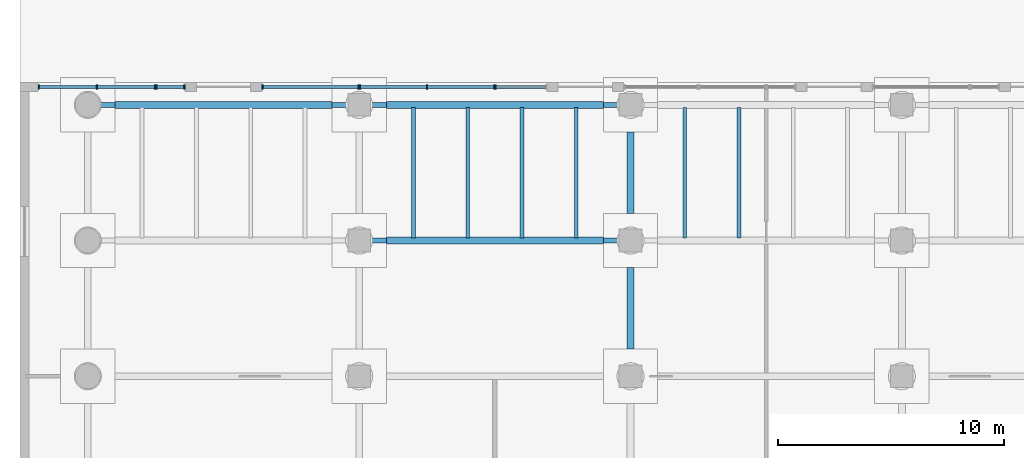
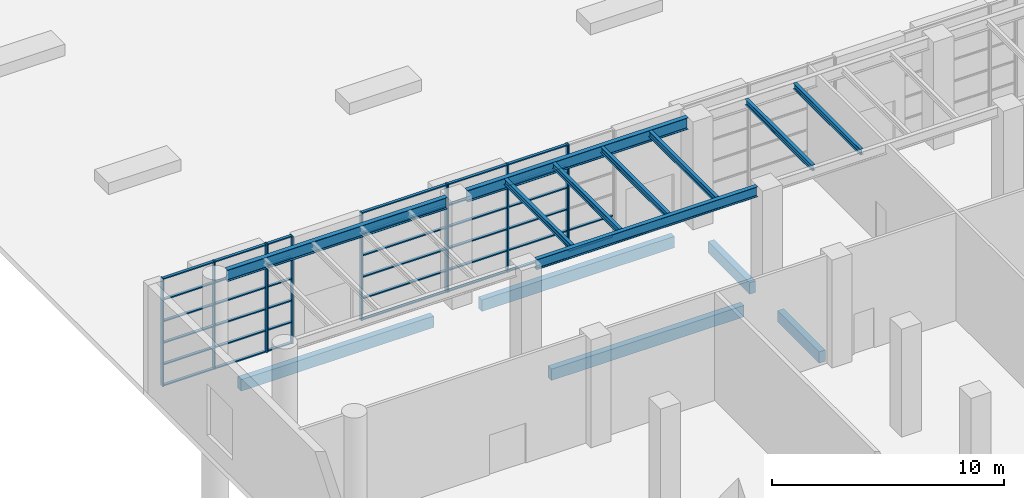
# One storey, part 3 of 27: 49 members, 14 beams, 5 elements without a shape of their own.
"""IFC4 building model written with IfcOpenShell, lengths in metres."""

from ifc_helpers import new_model, si_unit, direction, frame, origin, origin_2d, place, context, subcontext, project, spatial, rectangle, i_section, extrude, source, transform, mapped, material, layer, layer_set, material_profile, profile_set, type_object, element, aggregate, save


model = new_model("IFC4")

# Units and contexts
model_context = context("Model", 3, precision=1e-05, world=origin(), true_north=direction((0.0, 1.0)))
body_context = subcontext(model_context, "Body", "Model", "MODEL_VIEW")
ifc_project = project(units=[si_unit("LENGTHUNIT", "METRE"), si_unit("AREAUNIT", "SQUARE_METRE"), si_unit("VOLUMEUNIT", "CUBIC_METRE"), si_unit("PLANEANGLEUNIT", "RADIAN"), si_unit("MASSUNIT", "GRAM", prefix="KILO")], contexts=[model_context])

# Site, building, storey
site_placement = place(None, origin())
site = spatial("IfcSite", under=ifc_project, at=site_placement, CompositionType="ELEMENT")
building_placement = place(site_placement, origin())
building = spatial("IfcBuilding", under=site, at=building_placement, Name="Poui Terraces", CompositionType="ELEMENT")
storey_placement = place(building_placement, origin())
storey = spatial("IfcBuildingStorey", under=building, at=storey_placement, Name="L00", CompositionType="ELEMENT", Elevation=0.0)

# Curtain wall, members
ifc_material_1 = material(Name="Clear glass", Category="glass")
ifc_layer = layer(ifc_material_1, 0.199951171875)
ifc_layer_set = layer_set([ifc_layer], Name="Clear glass")
curtain_wall_type = type_object("IfcCurtainWallType", Name="CURTAIN WALL CW-A HEALTH CENTRE FRONTAGE", PredefinedType="NOTDEFINED", material=ifc_layer_set)
curtain_wall_1_placement = place(storey_placement, origin())
curtain_wall_1 = element("IfcCurtainWall", 1, at=curtain_wall_1_placement, inside=storey, type_object=curtain_wall_type, Name="CW-A HEALTH CENTRE FRONTAGE", PredefinedType="NOTDEFINED")
ifc_material_2 = material(Name="Aluminium frame", Category="aluminium")
ifc_material_profile_1 = material_profile(ifc_material_2, rectangle(XDim=0.199951171875, YDim=0.06005859375, at=origin_2d()), Name="CW-A MULLION 60X200")
ifc_profile_set_1 = profile_set([ifc_material_profile_1], Name="Aluminium frame")
member_type_1 = type_object("IfcMemberType", Name="CW-A MULLION 60X200", PredefinedType="MULLION", material=ifc_profile_set_1)
member_1_placement = place(storey_placement, frame((2.969970703125, 74.800048828125, 0.0), z_axis=(0.0, 0.0, 1.0), x_axis=(0.0, -1.0, 0.0)))
member_1 = element("IfcMember", 2, at=member_1_placement, type_object=member_type_1, Name="CW-A mullion 1", PredefinedType="MULLION", context=body_context, shape_type="SweptSolid", body=[
    extrude(rectangle(XDim=0.199951171875, YDim=0.06005859375, at=origin_2d()), origin(), (0.0, 0.0, 1.0), 5.679931640625),
])
member_2_placement = place(storey_placement, frame((0.39990234375, 74.800048828125, 0.0), z_axis=(0.0, 0.0, 1.0), x_axis=(0.0, -1.0, 0.0)))
member_2 = element("IfcMember", 3, at=member_2_placement, type_object=member_type_1, Name="CW-A mullion 2", PredefinedType="MULLION", context=body_context, shape_type="SweptSolid", body=[
    extrude(rectangle(XDim=0.199951171875, YDim=0.06005859375, at=origin_2d()), origin(), (0.0, 0.0, 1.0), 5.679931640625),
])
member_3_placement = place(storey_placement, frame((-2.169921875, 74.800048828125, 0.0), z_axis=(0.0, 0.0, 1.0), x_axis=(0.0, -1.0, 0.0)))
member_3 = element("IfcMember", 4, at=member_3_placement, type_object=member_type_1, Name="CW-A mullion 3", PredefinedType="MULLION", context=body_context, shape_type="SweptSolid", body=[
    extrude(rectangle(XDim=0.199951171875, YDim=0.06005859375, at=origin_2d()), origin(), (0.0, 0.0, 1.0), 5.679931640625),
])

curtain_wall_2_placement = place(storey_placement, origin())
curtain_wall_2 = element("IfcCurtainWall", 5, at=curtain_wall_2_placement, inside=storey, type_object=curtain_wall_type, Name="CW-A HEALTH CENTRE FRONTAGE", PredefinedType="NOTDEFINED")
member_4_placement = place(storey_placement, frame((4.27001953125, 74.800048828125, 0.0), z_axis=(0.0, 0.0, 1.0), x_axis=(0.0, -1.0, 0.0)))
member_4 = element("IfcMember", 6, at=member_4_placement, type_object=member_type_1, Name="CW-A mullion 1", PredefinedType="MULLION", context=body_context, shape_type="SweptSolid", body=[
    extrude(rectangle(XDim=0.199951171875, YDim=0.06005859375, at=origin_2d()), origin(), (0.0, 0.0, 1.0), 5.679931640625),
])
member_5_placement = place(storey_placement, frame((3.030029296875, 74.800048828125, 0.0), z_axis=(0.0, 0.0, 1.0), x_axis=(0.0, -1.0, 0.0)))
member_5 = element("IfcMember", 7, at=member_5_placement, type_object=member_type_1, Name="CW-A mullion 2", PredefinedType="MULLION", context=body_context, shape_type="SweptSolid", body=[
    extrude(rectangle(XDim=0.199951171875, YDim=0.06005859375, at=origin_2d()), origin(), (0.0, 0.0, 1.0), 5.679931640625),
])

curtain_wall_3_placement = place(storey_placement, origin())
curtain_wall_3 = element("IfcCurtainWall", 8, at=curtain_wall_3_placement, inside=storey, type_object=curtain_wall_type, Name="CW-A HEALTH CENTRE FRONTAGE", PredefinedType="NOTDEFINED")
member_6_placement = place(storey_placement, frame((11.969970703125, 74.800048828125, 0.0), z_axis=(0.0, 0.0, 1.0), x_axis=(0.0, -1.0, 0.0)))
member_6 = element("IfcMember", 9, at=member_6_placement, type_object=member_type_1, Name="CW-A mullion 1", PredefinedType="MULLION", context=body_context, shape_type="SweptSolid", body=[
    extrude(rectangle(XDim=0.199951171875, YDim=0.06005859375, at=origin_2d()), origin(), (0.0, 0.0, 1.0), 5.679931640625),
])
member_7_placement = place(storey_placement, frame((7.72998046875, 74.800048828125, 0.0), z_axis=(0.0, 0.0, 1.0), x_axis=(0.0, -1.0, 0.0)))
member_7 = element("IfcMember", 10, at=member_7_placement, type_object=member_type_1, Name="CW-A mullion 2", PredefinedType="MULLION", context=body_context, shape_type="SweptSolid", body=[
    extrude(rectangle(XDim=0.199951171875, YDim=0.06005859375, at=origin_2d()), origin(), (0.0, 0.0, 1.0), 5.679931640625),
])

curtain_wall_4_placement = place(storey_placement, origin())
curtain_wall_4 = element("IfcCurtainWall", 11, at=curtain_wall_4_placement, inside=storey, type_object=curtain_wall_type, Name="CW-A HEALTH CENTRE FRONTAGE", PredefinedType="NOTDEFINED")
member_8_placement = place(storey_placement, frame((17.969970703125, 74.800048828125, 0.0), z_axis=(0.0, 0.0, 1.0), x_axis=(0.0, -1.0, 0.0)))
member_8 = element("IfcMember", 12, at=member_8_placement, type_object=member_type_1, Name="CW-A mullion 1", PredefinedType="MULLION", context=body_context, shape_type="SweptSolid", body=[
    extrude(rectangle(XDim=0.199951171875, YDim=0.06005859375, at=origin_2d()), origin(), (0.0, 0.0, 1.0), 5.679931640625),
])
member_9_placement = place(storey_placement, frame((15.0, 74.800048828125, 0.0), z_axis=(0.0, 0.0, 1.0), x_axis=(0.0, -1.0, 0.0)))
member_9 = element("IfcMember", 13, at=member_9_placement, type_object=member_type_1, Name="CW-A mullion 2", PredefinedType="MULLION", context=body_context, shape_type="SweptSolid", body=[
    extrude(rectangle(XDim=0.199951171875, YDim=0.06005859375, at=origin_2d()), origin(), (0.0, 0.0, 1.0), 5.679931640625),
])
member_10_placement = place(storey_placement, frame((12.030029296875, 74.800048828125, 0.0), z_axis=(0.0, 0.0, 1.0), x_axis=(0.0, -1.0, 0.0)))
member_10 = element("IfcMember", 14, at=member_10_placement, type_object=member_type_1, Name="CW-A mullion 3", PredefinedType="MULLION", context=body_context, shape_type="SweptSolid", body=[
    extrude(rectangle(XDim=0.199951171875, YDim=0.06005859375, at=origin_2d()), origin(), (0.0, 0.0, 1.0), 5.679931640625),
])

# Curtain wall, member
curtain_wall_5_placement = place(storey_placement, origin())
curtain_wall_5 = element("IfcCurtainWall", 15, at=curtain_wall_5_placement, inside=storey, type_object=curtain_wall_type, Name="CW-A HEALTH CENTRE FRONTAGE", PredefinedType="NOTDEFINED")
member_11_placement = place(storey_placement, frame((18.030029296875, 74.800048828125, 0.0), z_axis=(0.0, 0.0, 1.0), x_axis=(0.0, -1.0, 0.0)))
member_11 = element("IfcMember", 16, at=member_11_placement, type_object=member_type_1, Name="CW-A mullion 2", PredefinedType="MULLION", context=body_context, shape_type="SweptSolid", body=[
    extrude(rectangle(XDim=0.199951171875, YDim=0.06005859375, at=origin_2d()), origin(), (0.0, 0.0, 1.0), 5.679931640625),
])

# Member
ifc_material_profile_2 = material_profile(ifc_material_2, rectangle(XDim=0.139892578125, YDim=0.06005859375, at=origin_2d()), Name="CW-A TRANSOM 60X140")
ifc_profile_set_2 = profile_set([ifc_material_profile_2], Name="Aluminium frame")
member_type_2 = type_object("IfcMemberType", Name="CW-A TRANSOM 60X140", PredefinedType="USERDEFINED", material=ifc_profile_set_2)
member_12_placement = place(storey_placement, frame((2.93994140625, 74.800048828125, 0.030029296875), z_axis=(-1.0, 0.0, 0.0), x_axis=(0.0, -1.0, 0.0)))
member_12 = element("IfcMember", 17, at=member_12_placement, type_object=member_type_2, Name="CW-A transom 1.1", ObjectType="TRANSOM", PredefinedType="USERDEFINED", context=body_context, shape_type="SweptSolid", body=[
    extrude(rectangle(XDim=0.139892578125, YDim=0.06005859375, at=origin_2d()), origin(), (0.0, 0.0, 1.0), 2.510009765625),
])

member_13_placement = place(storey_placement, frame((2.93994140625, 74.800048828125, 1.135986328125), z_axis=(-1.0, 0.0, 0.0), x_axis=(0.0, -1.0, 0.0)))
member_13 = element("IfcMember", 18, at=member_13_placement, type_object=member_type_2, Name="CW-A transom 1.2", ObjectType="TRANSOM", PredefinedType="USERDEFINED", context=body_context, shape_type="SweptSolid", body=[
    extrude(rectangle(XDim=0.139892578125, YDim=0.06005859375, at=origin_2d()), origin(), (0.0, 0.0, 1.0), 2.510009765625),
])

member_14_placement = place(storey_placement, frame((2.93994140625, 74.800048828125, 2.27197265625), z_axis=(-1.0, 0.0, 0.0), x_axis=(0.0, -1.0, 0.0)))
member_14 = element("IfcMember", 19, at=member_14_placement, type_object=member_type_2, Name="CW-A transom 1.3", ObjectType="TRANSOM", PredefinedType="USERDEFINED", context=body_context, shape_type="SweptSolid", body=[
    extrude(rectangle(XDim=0.139892578125, YDim=0.06005859375, at=origin_2d()), origin(), (0.0, 0.0, 1.0), 2.510009765625),
])

member_15_placement = place(storey_placement, frame((2.93994140625, 74.800048828125, 3.407958984375), z_axis=(-1.0, 0.0, 0.0), x_axis=(0.0, -1.0, 0.0)))
member_15 = element("IfcMember", 20, at=member_15_placement, type_object=member_type_2, Name="CW-A transom 1.4", ObjectType="TRANSOM", PredefinedType="USERDEFINED", context=body_context, shape_type="SweptSolid", body=[
    extrude(rectangle(XDim=0.139892578125, YDim=0.06005859375, at=origin_2d()), origin(), (0.0, 0.0, 1.0), 2.510009765625),
])

member_16_placement = place(storey_placement, frame((2.93994140625, 74.800048828125, 4.5439453125), z_axis=(-1.0, 0.0, 0.0), x_axis=(0.0, -1.0, 0.0)))
member_16 = element("IfcMember", 21, at=member_16_placement, type_object=member_type_2, Name="CW-A transom 1.5", ObjectType="TRANSOM", PredefinedType="USERDEFINED", context=body_context, shape_type="SweptSolid", body=[
    extrude(rectangle(XDim=0.139892578125, YDim=0.06005859375, at=origin_2d()), origin(), (0.0, 0.0, 1.0), 2.510009765625),
])

member_17_placement = place(storey_placement, frame((2.93994140625, 74.800048828125, 5.64990234375), z_axis=(-1.0, 0.0, 0.0), x_axis=(0.0, -1.0, 0.0)))
member_17 = element("IfcMember", 22, at=member_17_placement, type_object=member_type_2, Name="CW-A transom 1.6", ObjectType="TRANSOM", PredefinedType="USERDEFINED", context=body_context, shape_type="SweptSolid", body=[
    extrude(rectangle(XDim=0.139892578125, YDim=0.06005859375, at=origin_2d()), origin(), (0.0, 0.0, 1.0), 2.510009765625),
])

member_18_placement = place(storey_placement, frame((0.3701171875, 74.800048828125, 0.030029296875), z_axis=(-1.0, 0.0, 0.0), x_axis=(0.0, -1.0, 0.0)))
member_18 = element("IfcMember", 23, at=member_18_placement, type_object=member_type_2, Name="CW-A transom 2.1", ObjectType="TRANSOM", PredefinedType="USERDEFINED", context=body_context, shape_type="SweptSolid", body=[
    extrude(rectangle(XDim=0.139892578125, YDim=0.06005859375, at=origin_2d()), origin(), (0.0, 0.0, 1.0), 2.510009765625),
])

member_19_placement = place(storey_placement, frame((0.3701171875, 74.800048828125, 1.135986328125), z_axis=(-1.0, 0.0, 0.0), x_axis=(0.0, -1.0, 0.0)))
member_19 = element("IfcMember", 24, at=member_19_placement, type_object=member_type_2, Name="CW-A transom 2.2", ObjectType="TRANSOM", PredefinedType="USERDEFINED", context=body_context, shape_type="SweptSolid", body=[
    extrude(rectangle(XDim=0.139892578125, YDim=0.06005859375, at=origin_2d()), origin(), (0.0, 0.0, 1.0), 2.510009765625),
])

member_20_placement = place(storey_placement, frame((0.3701171875, 74.800048828125, 2.27197265625), z_axis=(-1.0, 0.0, 0.0), x_axis=(0.0, -1.0, 0.0)))
member_20 = element("IfcMember", 25, at=member_20_placement, type_object=member_type_2, Name="CW-A transom 2.3", ObjectType="TRANSOM", PredefinedType="USERDEFINED", context=body_context, shape_type="SweptSolid", body=[
    extrude(rectangle(XDim=0.139892578125, YDim=0.06005859375, at=origin_2d()), origin(), (0.0, 0.0, 1.0), 2.510009765625),
])

member_21_placement = place(storey_placement, frame((0.3701171875, 74.800048828125, 3.407958984375), z_axis=(-1.0, 0.0, 0.0), x_axis=(0.0, -1.0, 0.0)))
member_21 = element("IfcMember", 26, at=member_21_placement, type_object=member_type_2, Name="CW-A transom 2.4", ObjectType="TRANSOM", PredefinedType="USERDEFINED", context=body_context, shape_type="SweptSolid", body=[
    extrude(rectangle(XDim=0.139892578125, YDim=0.06005859375, at=origin_2d()), origin(), (0.0, 0.0, 1.0), 2.510009765625),
])

member_22_placement = place(storey_placement, frame((0.3701171875, 74.800048828125, 4.5439453125), z_axis=(-1.0, 0.0, 0.0), x_axis=(0.0, -1.0, 0.0)))
member_22 = element("IfcMember", 27, at=member_22_placement, type_object=member_type_2, Name="CW-A transom 2.5", ObjectType="TRANSOM", PredefinedType="USERDEFINED", context=body_context, shape_type="SweptSolid", body=[
    extrude(rectangle(XDim=0.139892578125, YDim=0.06005859375, at=origin_2d()), origin(), (0.0, 0.0, 1.0), 2.510009765625),
])

member_23_placement = place(storey_placement, frame((0.3701171875, 74.800048828125, 5.64990234375), z_axis=(-1.0, 0.0, 0.0), x_axis=(0.0, -1.0, 0.0)))
member_23 = element("IfcMember", 28, at=member_23_placement, type_object=member_type_2, Name="CW-A transom 2.6", ObjectType="TRANSOM", PredefinedType="USERDEFINED", context=body_context, shape_type="SweptSolid", body=[
    extrude(rectangle(XDim=0.139892578125, YDim=0.06005859375, at=origin_2d()), origin(), (0.0, 0.0, 1.0), 2.510009765625),
])

aggregate(curtain_wall_1, [member_1, member_2, member_3, member_12, member_13, member_14, member_15, member_16, member_17, member_18, member_19, member_20, member_21, member_22, member_23])

member_24_placement = place(storey_placement, frame((4.239990234375, 74.800048828125, 0.030029296875), z_axis=(-1.0, 0.0, 0.0), x_axis=(0.0, -1.0, 0.0)))
member_24 = element("IfcMember", 29, at=member_24_placement, type_object=member_type_2, Name="CW-A transom 1.1", ObjectType="TRANSOM", PredefinedType="USERDEFINED", context=body_context, shape_type="SweptSolid", body=[
    extrude(rectangle(XDim=0.139892578125, YDim=0.06005859375, at=origin_2d()), origin(), (0.0, 0.0, 1.0), 1.179931640625),
])

member_25_placement = place(storey_placement, frame((4.239990234375, 74.800048828125, 1.135986328125), z_axis=(-1.0, 0.0, 0.0), x_axis=(0.0, -1.0, 0.0)))
member_25 = element("IfcMember", 30, at=member_25_placement, type_object=member_type_2, Name="CW-A transom 1.2", ObjectType="TRANSOM", PredefinedType="USERDEFINED", context=body_context, shape_type="SweptSolid", body=[
    extrude(rectangle(XDim=0.139892578125, YDim=0.06005859375, at=origin_2d()), origin(), (0.0, 0.0, 1.0), 1.179931640625),
])

member_26_placement = place(storey_placement, frame((4.239990234375, 74.800048828125, 2.27197265625), z_axis=(-1.0, 0.0, 0.0), x_axis=(0.0, -1.0, 0.0)))
member_26 = element("IfcMember", 31, at=member_26_placement, type_object=member_type_2, Name="CW-A transom 1.3", ObjectType="TRANSOM", PredefinedType="USERDEFINED", context=body_context, shape_type="SweptSolid", body=[
    extrude(rectangle(XDim=0.139892578125, YDim=0.06005859375, at=origin_2d()), origin(), (0.0, 0.0, 1.0), 1.179931640625),
])

member_27_placement = place(storey_placement, frame((4.239990234375, 74.800048828125, 3.407958984375), z_axis=(-1.0, 0.0, 0.0), x_axis=(0.0, -1.0, 0.0)))
member_27 = element("IfcMember", 32, at=member_27_placement, type_object=member_type_2, Name="CW-A transom 1.4", ObjectType="TRANSOM", PredefinedType="USERDEFINED", context=body_context, shape_type="SweptSolid", body=[
    extrude(rectangle(XDim=0.139892578125, YDim=0.06005859375, at=origin_2d()), origin(), (0.0, 0.0, 1.0), 1.179931640625),
])

member_28_placement = place(storey_placement, frame((4.239990234375, 74.800048828125, 4.5439453125), z_axis=(-1.0, 0.0, 0.0), x_axis=(0.0, -1.0, 0.0)))
member_28 = element("IfcMember", 33, at=member_28_placement, type_object=member_type_2, Name="CW-A transom 1.5", ObjectType="TRANSOM", PredefinedType="USERDEFINED", context=body_context, shape_type="SweptSolid", body=[
    extrude(rectangle(XDim=0.139892578125, YDim=0.06005859375, at=origin_2d()), origin(), (0.0, 0.0, 1.0), 1.179931640625),
])

member_29_placement = place(storey_placement, frame((4.239990234375, 74.800048828125, 5.64990234375), z_axis=(-1.0, 0.0, 0.0), x_axis=(0.0, -1.0, 0.0)))
member_29 = element("IfcMember", 34, at=member_29_placement, type_object=member_type_2, Name="CW-A transom 1.6", ObjectType="TRANSOM", PredefinedType="USERDEFINED", context=body_context, shape_type="SweptSolid", body=[
    extrude(rectangle(XDim=0.139892578125, YDim=0.06005859375, at=origin_2d()), origin(), (0.0, 0.0, 1.0), 1.179931640625),
])

aggregate(curtain_wall_2, [member_4, member_5, member_24, member_25, member_26, member_27, member_28, member_29])

member_30_placement = place(storey_placement, frame((11.93994140625, 74.800048828125, 0.030029296875), z_axis=(-1.0, 0.0, 0.0), x_axis=(0.0, -1.0, 0.0)))
member_30 = element("IfcMember", 35, at=member_30_placement, type_object=member_type_2, Name="CW-A transom 1.1", ObjectType="TRANSOM", PredefinedType="USERDEFINED", context=body_context, shape_type="SweptSolid", body=[
    extrude(rectangle(XDim=0.139892578125, YDim=0.06005859375, at=origin_2d()), origin(), (0.0, 0.0, 1.0), 4.179931640625),
])

member_31_placement = place(storey_placement, frame((11.93994140625, 74.800048828125, 1.135986328125), z_axis=(-1.0, 0.0, 0.0), x_axis=(0.0, -1.0, 0.0)))
member_31 = element("IfcMember", 36, at=member_31_placement, type_object=member_type_2, Name="CW-A transom 1.2", ObjectType="TRANSOM", PredefinedType="USERDEFINED", context=body_context, shape_type="SweptSolid", body=[
    extrude(rectangle(XDim=0.139892578125, YDim=0.06005859375, at=origin_2d()), origin(), (0.0, 0.0, 1.0), 4.179931640625),
])

member_32_placement = place(storey_placement, frame((11.93994140625, 74.800048828125, 2.27197265625), z_axis=(-1.0, 0.0, 0.0), x_axis=(0.0, -1.0, 0.0)))
member_32 = element("IfcMember", 37, at=member_32_placement, type_object=member_type_2, Name="CW-A transom 1.3", ObjectType="TRANSOM", PredefinedType="USERDEFINED", context=body_context, shape_type="SweptSolid", body=[
    extrude(rectangle(XDim=0.139892578125, YDim=0.06005859375, at=origin_2d()), origin(), (0.0, 0.0, 1.0), 4.179931640625),
])

member_33_placement = place(storey_placement, frame((11.93994140625, 74.800048828125, 3.407958984375), z_axis=(-1.0, 0.0, 0.0), x_axis=(0.0, -1.0, 0.0)))
member_33 = element("IfcMember", 38, at=member_33_placement, type_object=member_type_2, Name="CW-A transom 1.4", ObjectType="TRANSOM", PredefinedType="USERDEFINED", context=body_context, shape_type="SweptSolid", body=[
    extrude(rectangle(XDim=0.139892578125, YDim=0.06005859375, at=origin_2d()), origin(), (0.0, 0.0, 1.0), 4.179931640625),
])

member_34_placement = place(storey_placement, frame((11.93994140625, 74.800048828125, 4.5439453125), z_axis=(-1.0, 0.0, 0.0), x_axis=(0.0, -1.0, 0.0)))
member_34 = element("IfcMember", 39, at=member_34_placement, type_object=member_type_2, Name="CW-A transom 1.5", ObjectType="TRANSOM", PredefinedType="USERDEFINED", context=body_context, shape_type="SweptSolid", body=[
    extrude(rectangle(XDim=0.139892578125, YDim=0.06005859375, at=origin_2d()), origin(), (0.0, 0.0, 1.0), 4.179931640625),
])

member_35_placement = place(storey_placement, frame((11.93994140625, 74.800048828125, 5.64990234375), z_axis=(-1.0, 0.0, 0.0), x_axis=(0.0, -1.0, 0.0)))
member_35 = element("IfcMember", 40, at=member_35_placement, type_object=member_type_2, Name="CW-A transom 1.6", ObjectType="TRANSOM", PredefinedType="USERDEFINED", context=body_context, shape_type="SweptSolid", body=[
    extrude(rectangle(XDim=0.139892578125, YDim=0.06005859375, at=origin_2d()), origin(), (0.0, 0.0, 1.0), 4.179931640625),
])

aggregate(curtain_wall_3, [member_6, member_7, member_30, member_31, member_32, member_33, member_34, member_35])

member_36_placement = place(storey_placement, frame((17.93994140625, 74.800048828125, 0.030029296875), z_axis=(-1.0, 0.0, 0.0), x_axis=(0.0, -1.0, 0.0)))
member_36 = element("IfcMember", 41, at=member_36_placement, type_object=member_type_2, Name="CW-A transom 1.1", ObjectType="TRANSOM", PredefinedType="USERDEFINED", context=body_context, shape_type="SweptSolid", body=[
    extrude(rectangle(XDim=0.139892578125, YDim=0.06005859375, at=origin_2d()), origin(), (0.0, 0.0, 1.0), 2.909912109375),
])

member_37_placement = place(storey_placement, frame((17.93994140625, 74.800048828125, 1.135986328125), z_axis=(-1.0, 0.0, 0.0), x_axis=(0.0, -1.0, 0.0)))
member_37 = element("IfcMember", 42, at=member_37_placement, type_object=member_type_2, Name="CW-A transom 1.2", ObjectType="TRANSOM", PredefinedType="USERDEFINED", context=body_context, shape_type="SweptSolid", body=[
    extrude(rectangle(XDim=0.139892578125, YDim=0.06005859375, at=origin_2d()), origin(), (0.0, 0.0, 1.0), 2.909912109375),
])

member_38_placement = place(storey_placement, frame((17.93994140625, 74.800048828125, 2.27197265625), z_axis=(-1.0, 0.0, 0.0), x_axis=(0.0, -1.0, 0.0)))
member_38 = element("IfcMember", 43, at=member_38_placement, type_object=member_type_2, Name="CW-A transom 1.3", ObjectType="TRANSOM", PredefinedType="USERDEFINED", context=body_context, shape_type="SweptSolid", body=[
    extrude(rectangle(XDim=0.139892578125, YDim=0.06005859375, at=origin_2d()), origin(), (0.0, 0.0, 1.0), 2.909912109375),
])

member_39_placement = place(storey_placement, frame((17.93994140625, 74.800048828125, 3.407958984375), z_axis=(-1.0, 0.0, 0.0), x_axis=(0.0, -1.0, 0.0)))
member_39 = element("IfcMember", 44, at=member_39_placement, type_object=member_type_2, Name="CW-A transom 1.4", ObjectType="TRANSOM", PredefinedType="USERDEFINED", context=body_context, shape_type="SweptSolid", body=[
    extrude(rectangle(XDim=0.139892578125, YDim=0.06005859375, at=origin_2d()), origin(), (0.0, 0.0, 1.0), 2.909912109375),
])

member_40_placement = place(storey_placement, frame((17.93994140625, 74.800048828125, 4.5439453125), z_axis=(-1.0, 0.0, 0.0), x_axis=(0.0, -1.0, 0.0)))
member_40 = element("IfcMember", 45, at=member_40_placement, type_object=member_type_2, Name="CW-A transom 1.5", ObjectType="TRANSOM", PredefinedType="USERDEFINED", context=body_context, shape_type="SweptSolid", body=[
    extrude(rectangle(XDim=0.139892578125, YDim=0.06005859375, at=origin_2d()), origin(), (0.0, 0.0, 1.0), 2.909912109375),
])

member_41_placement = place(storey_placement, frame((17.93994140625, 74.800048828125, 5.64990234375), z_axis=(-1.0, 0.0, 0.0), x_axis=(0.0, -1.0, 0.0)))
member_41 = element("IfcMember", 46, at=member_41_placement, type_object=member_type_2, Name="CW-A transom 1.6", ObjectType="TRANSOM", PredefinedType="USERDEFINED", context=body_context, shape_type="SweptSolid", body=[
    extrude(rectangle(XDim=0.139892578125, YDim=0.06005859375, at=origin_2d()), origin(), (0.0, 0.0, 1.0), 2.909912109375),
])

member_42_placement = place(storey_placement, frame((14.969970703125, 74.800048828125, 0.030029296875), z_axis=(-1.0, 0.0, 0.0), x_axis=(0.0, -1.0, 0.0)))
member_42 = element("IfcMember", 47, at=member_42_placement, type_object=member_type_2, Name="CW-A transom 2.1", ObjectType="TRANSOM", PredefinedType="USERDEFINED", context=body_context, shape_type="SweptSolid", body=[
    extrude(rectangle(XDim=0.139892578125, YDim=0.06005859375, at=origin_2d()), origin(), (0.0, 0.0, 1.0), 2.909912109375),
])

member_43_placement = place(storey_placement, frame((14.969970703125, 74.800048828125, 1.135986328125), z_axis=(-1.0, 0.0, 0.0), x_axis=(0.0, -1.0, 0.0)))
member_43 = element("IfcMember", 48, at=member_43_placement, type_object=member_type_2, Name="CW-A transom 2.2", ObjectType="TRANSOM", PredefinedType="USERDEFINED", context=body_context, shape_type="SweptSolid", body=[
    extrude(rectangle(XDim=0.139892578125, YDim=0.06005859375, at=origin_2d()), origin(), (0.0, 0.0, 1.0), 2.909912109375),
])

member_44_placement = place(storey_placement, frame((14.969970703125, 74.800048828125, 2.27197265625), z_axis=(-1.0, 0.0, 0.0), x_axis=(0.0, -1.0, 0.0)))
member_44 = element("IfcMember", 49, at=member_44_placement, type_object=member_type_2, Name="CW-A transom 2.3", ObjectType="TRANSOM", PredefinedType="USERDEFINED", context=body_context, shape_type="SweptSolid", body=[
    extrude(rectangle(XDim=0.139892578125, YDim=0.06005859375, at=origin_2d()), origin(), (0.0, 0.0, 1.0), 2.909912109375),
])

member_45_placement = place(storey_placement, frame((14.969970703125, 74.800048828125, 3.407958984375), z_axis=(-1.0, 0.0, 0.0), x_axis=(0.0, -1.0, 0.0)))
member_45 = element("IfcMember", 50, at=member_45_placement, type_object=member_type_2, Name="CW-A transom 2.4", ObjectType="TRANSOM", PredefinedType="USERDEFINED", context=body_context, shape_type="SweptSolid", body=[
    extrude(rectangle(XDim=0.139892578125, YDim=0.06005859375, at=origin_2d()), origin(), (0.0, 0.0, 1.0), 2.909912109375),
])

member_46_placement = place(storey_placement, frame((14.969970703125, 74.800048828125, 4.5439453125), z_axis=(-1.0, 0.0, 0.0), x_axis=(0.0, -1.0, 0.0)))
member_46 = element("IfcMember", 51, at=member_46_placement, type_object=member_type_2, Name="CW-A transom 2.5", ObjectType="TRANSOM", PredefinedType="USERDEFINED", context=body_context, shape_type="SweptSolid", body=[
    extrude(rectangle(XDim=0.139892578125, YDim=0.06005859375, at=origin_2d()), origin(), (0.0, 0.0, 1.0), 2.909912109375),
])

member_47_placement = place(storey_placement, frame((14.969970703125, 74.800048828125, 5.64990234375), z_axis=(-1.0, 0.0, 0.0), x_axis=(0.0, -1.0, 0.0)))
member_47 = element("IfcMember", 52, at=member_47_placement, type_object=member_type_2, Name="CW-A transom 2.6", ObjectType="TRANSOM", PredefinedType="USERDEFINED", context=body_context, shape_type="SweptSolid", body=[
    extrude(rectangle(XDim=0.139892578125, YDim=0.06005859375, at=origin_2d()), origin(), (0.0, 0.0, 1.0), 2.909912109375),
])

aggregate(curtain_wall_4, [member_8, member_9, member_10, member_36, member_37, member_38, member_39, member_40, member_41, member_42, member_43, member_44, member_45, member_46, member_47])

member_48_placement = place(storey_placement, frame((20.239990234375, 74.800048828125, 0.030029296875), z_axis=(-1.0, 0.0, 0.0), x_axis=(0.0, -1.0, 0.0)))
member_48 = element("IfcMember", 53, at=member_48_placement, type_object=member_type_2, Name="CW-A transom 1.1", ObjectType="TRANSOM", PredefinedType="USERDEFINED", context=body_context, shape_type="SweptSolid", body=[
    extrude(rectangle(XDim=0.139892578125, YDim=0.06005859375, at=origin_2d()), origin(), (0.0, 0.0, 1.0), 2.179931640625),
])

member_49_placement = place(storey_placement, frame((20.239990234375, 74.800048828125, 1.135986328125), z_axis=(-1.0, 0.0, 0.0), x_axis=(0.0, -1.0, 0.0)))
member_49 = element("IfcMember", 54, at=member_49_placement, type_object=member_type_2, Name="CW-A transom 1.2", ObjectType="TRANSOM", PredefinedType="USERDEFINED", context=body_context, shape_type="SweptSolid", body=[
    extrude(rectangle(XDim=0.139892578125, YDim=0.06005859375, at=origin_2d()), origin(), (0.0, 0.0, 1.0), 2.179931640625),
])

aggregate(curtain_wall_5, [member_11, member_48, member_49])

# Beams
ifc_material_3 = material(Name="Concrete 50 MPa", Category="concrete")
ifc_material_profile_3 = material_profile(ifc_material_3, rectangle(XDim=0.300048828125, YDim=0.60009765625, at=origin_2d()), Name="RC 300x600")
ifc_profile_set_3 = profile_set([ifc_material_profile_3], Name="Concrete 50 MPa")
beam_type_1 = type_object("IfcBeamType", Name="GROUND TIE BEAM 300x600 50MPa", PredefinedType="BEAM", material=ifc_profile_set_3)
shared_shape_1 = source(origin(), body_context, "Body", "SweptSolid", [
    extrude(rectangle(XDim=0.300048828125, YDim=0.60009765625, at=origin_2d()), origin(), (0.0, 0.0, 1.0), 9.60009765625),
])
for number, where, z_axis, x_axis, name in (
    (55, (13.199951171875, 68.0, -0.60009765625), (1.0, 0.0, 0.0), (0.0, 1.0, 0.0), "GROUND TIE BEAM"),
    (56, (1.199951171875, 74.0, -0.60009765625), (1.0, 0.0, 0.0), (0.0, 1.0, 0.0), "GROUND TIE BEAM"),
    (57, (13.199951171875, 74.0, -0.60009765625), (1.0, 0.0, 0.0), (0.0, 1.0, 0.0), "GROUND TIE BEAM"),
):
    element("IfcBeam", number, at=place(storey_placement, frame(where, z_axis=z_axis, x_axis=x_axis)), inside=storey, type_object=beam_type_1, Name=name, PredefinedType="BEAM", context=body_context, shape_type="MappedRepresentation", body=[
        mapped(shared_shape_1, transform((0.0, 0.0, 0.0))),
    ])
shared_shape_2 = source(origin(), body_context, "Body", "SweptSolid", [
    extrude(rectangle(XDim=0.300048828125, YDim=0.60009765625, at=origin_2d()), origin(), (0.0, 0.0, 1.0), 3.60009765625),
])
for number, where, z_axis, x_axis, name in (
    (58, (24.0, 63.199951171875, -0.60009765625), (0.0, 1.0, 0.0), (-1.0, 0.0, 0.0), "GROUND TIE BEAM"),
    (59, (24.0, 69.199951171875, -0.60009765625), (0.0, 1.0, 0.0), (-1.0, 0.0, 0.0), "GROUND TIE BEAM"),
):
    element("IfcBeam", number, at=place(storey_placement, frame(where, z_axis=z_axis, x_axis=x_axis)), inside=storey, type_object=beam_type_1, Name=name, PredefinedType="BEAM", context=body_context, shape_type="MappedRepresentation", body=[
        mapped(shared_shape_2, transform((0.0, 0.0, 0.0))),
    ])
ifc_material_4 = material(Name="Steel Grade 300 MPa", Category="steel")
ifc_material_profile_4 = material_profile(ifc_material_4, i_section(OverallWidth=0.22900390625, OverallDepth=0.611572265625, WebThickness=0.011962890625, FlangeThickness=0.01953125, FilletRadius=0.013916015625, at=origin_2d()), Name="610UB125")
ifc_profile_set_4 = profile_set([ifc_material_profile_4], Name="Steel Grade 300 MPa")
beam_type_2 = type_object("IfcBeamType", Name="TERRACE GIRDER 610UB125", PredefinedType="BEAM", material=ifc_profile_set_4)
shared_shape_3 = source(origin(), body_context, "Body", "SweptSolid", [
    extrude(i_section(OverallWidth=0.22900390625, OverallDepth=0.611572265625, WebThickness=0.011962890625, FlangeThickness=0.01953125, FilletRadius=0.013916015625, at=origin_2d()), origin(), (0.0, 0.0, 1.0), 10.949951171875),
])
beam_1_placement = place(storey_placement, frame((0.550048828125, 74.0, 5.374267578125), z_axis=(1.0, 0.0, 0.0), x_axis=(0.0, 1.0, 0.0)))
element("IfcBeam", 60, at=beam_1_placement, inside=storey, type_object=beam_type_2, Name="TERRACE GIRDER", PredefinedType="BEAM", context=body_context, shape_type="MappedRepresentation", body=[
    mapped(shared_shape_3, transform((0.0, 0.0, 0.0))),
])
shared_shape_4 = source(origin(), body_context, "Body", "SweptSolid", [
    extrude(i_section(OverallWidth=0.22900390625, OverallDepth=0.611572265625, WebThickness=0.011962890625, FlangeThickness=0.01953125, FilletRadius=0.013916015625, at=origin_2d()), origin(), (0.0, 0.0, 1.0), 11.0),
])
beam_2_placement = place(storey_placement, frame((12.5, 74.0, 5.374267578125), z_axis=(1.0, 0.0, 0.0), x_axis=(0.0, 1.0, 0.0)))
element("IfcBeam", 61, at=beam_2_placement, inside=storey, type_object=beam_type_2, Name="TERRACE GIRDER", PredefinedType="BEAM", context=body_context, shape_type="MappedRepresentation", body=[
    mapped(shared_shape_4, transform((0.0, 0.0, 0.0))),
])
ifc_material_profile_5 = material_profile(ifc_material_4, i_section(OverallWidth=0.208984375, OverallDepth=0.532958984375, WebThickness=0.01025390625, FlangeThickness=0.015625, FilletRadius=0.013916015625, at=origin_2d()), Name="530UB92.4")
ifc_profile_set_5 = profile_set([ifc_material_profile_5], Name="Steel Grade 300 MPa")
beam_type_3 = type_object("IfcBeamType", Name="TERRACE INNER GIRDER 530UB92.4", PredefinedType="BEAM", material=ifc_profile_set_5)
shared_shape_5 = source(origin(), body_context, "Body", "SweptSolid", [
    extrude(i_section(OverallWidth=0.208984375, OverallDepth=0.532958984375, WebThickness=0.01025390625, FlangeThickness=0.015625, FilletRadius=0.013916015625, at=origin_2d()), origin(), (0.0, 0.0, 1.0), 11.0),
])
beam_3_placement = place(storey_placement, frame((12.5, 68.0, 5.41357421875), z_axis=(1.0, 0.0, 0.0), x_axis=(0.0, 1.0, 0.0)))
element("IfcBeam", 62, at=beam_3_placement, inside=storey, type_object=beam_type_3, Name="TERRACE GIRDER", PredefinedType="BEAM", context=body_context, shape_type="MappedRepresentation", body=[
    mapped(shared_shape_5, transform((0.0, 0.0, 0.0))),
])
ifc_material_profile_6 = material_profile(ifc_material_4, i_section(OverallWidth=0.166015625, OverallDepth=0.30712890625, WebThickness=0.006591796875, FlangeThickness=0.01171875, FilletRadius=0.011474609375, at=origin_2d()), Name="310UB46.2")
ifc_profile_set_6 = profile_set([ifc_material_profile_6], Name="Steel Grade 300 MPa")
beam_type_4 = type_object("IfcBeamType", Name="TERRACE BEAM 310UB46.2", PredefinedType="BEAM", material=ifc_profile_set_6)
shared_shape_6 = source(origin(), body_context, "Body", "SweptSolid", [
    extrude(i_section(OverallWidth=0.166015625, OverallDepth=0.30712890625, WebThickness=0.006591796875, FlangeThickness=0.01171875, FilletRadius=0.011474609375, at=origin_2d()), origin(), (0.0, 0.0, 1.0), 5.781005859375),
])
for number, where, z_axis, x_axis, name in (
    (63, (14.39990234375, 68.1044921875, 5.5263671875), (0.0, 1.0, 0.0), (-1.0, 0.0, 0.0), "TERRACE BEAM"),
    (64, (16.800048828125, 68.1044921875, 5.5263671875), (0.0, 1.0, 0.0), (-1.0, 0.0, 0.0), "TERRACE BEAM"),
    (65, (19.199951171875, 68.1044921875, 5.5263671875), (0.0, 1.0, 0.0), (-1.0, 0.0, 0.0), "TERRACE BEAM"),
    (66, (21.60009765625, 68.1044921875, 5.5263671875), (0.0, 1.0, 0.0), (-1.0, 0.0, 0.0), "TERRACE BEAM"),
    (67, (26.39990234375, 68.1044921875, 5.5263671875), (0.0, 1.0, 0.0), (-1.0, 0.0, 0.0), "TERRACE BEAM"),
    (68, (28.800048828125, 68.1044921875, 5.5263671875), (0.0, 1.0, 0.0), (-1.0, 0.0, 0.0), "TERRACE BEAM"),
):
    element("IfcBeam", number, at=place(storey_placement, frame(where, z_axis=z_axis, x_axis=x_axis)), inside=storey, type_object=beam_type_4, Name=name, PredefinedType="BEAM", context=body_context, shape_type="MappedRepresentation", body=[
        mapped(shared_shape_6, transform((0.0, 0.0, 0.0))),
    ])

save(model, "model.ifc")
